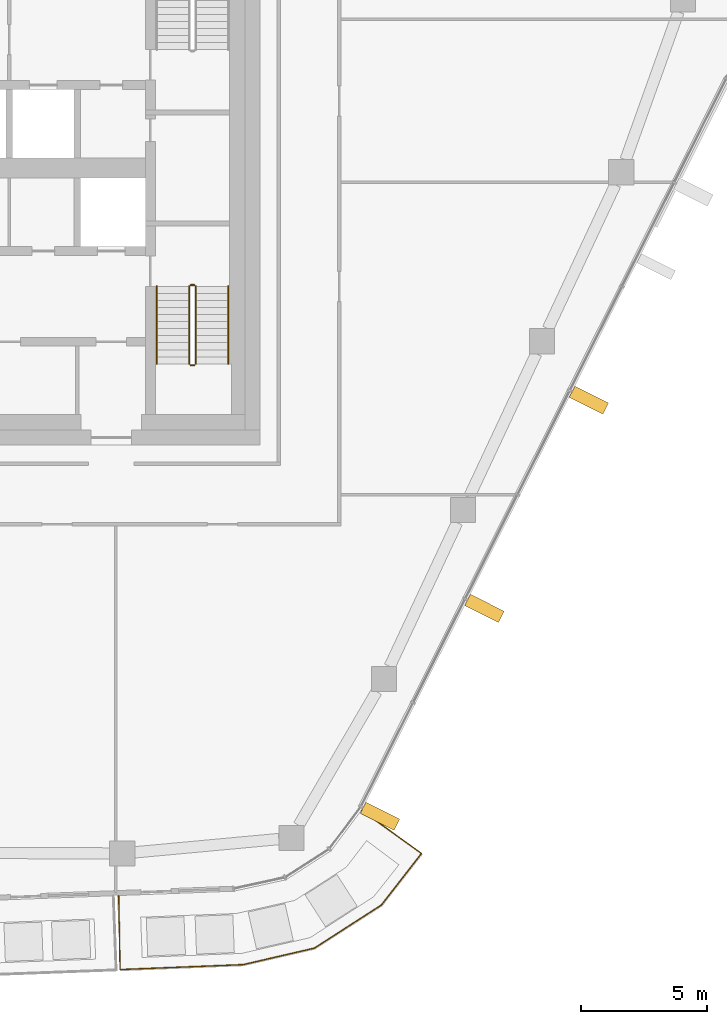
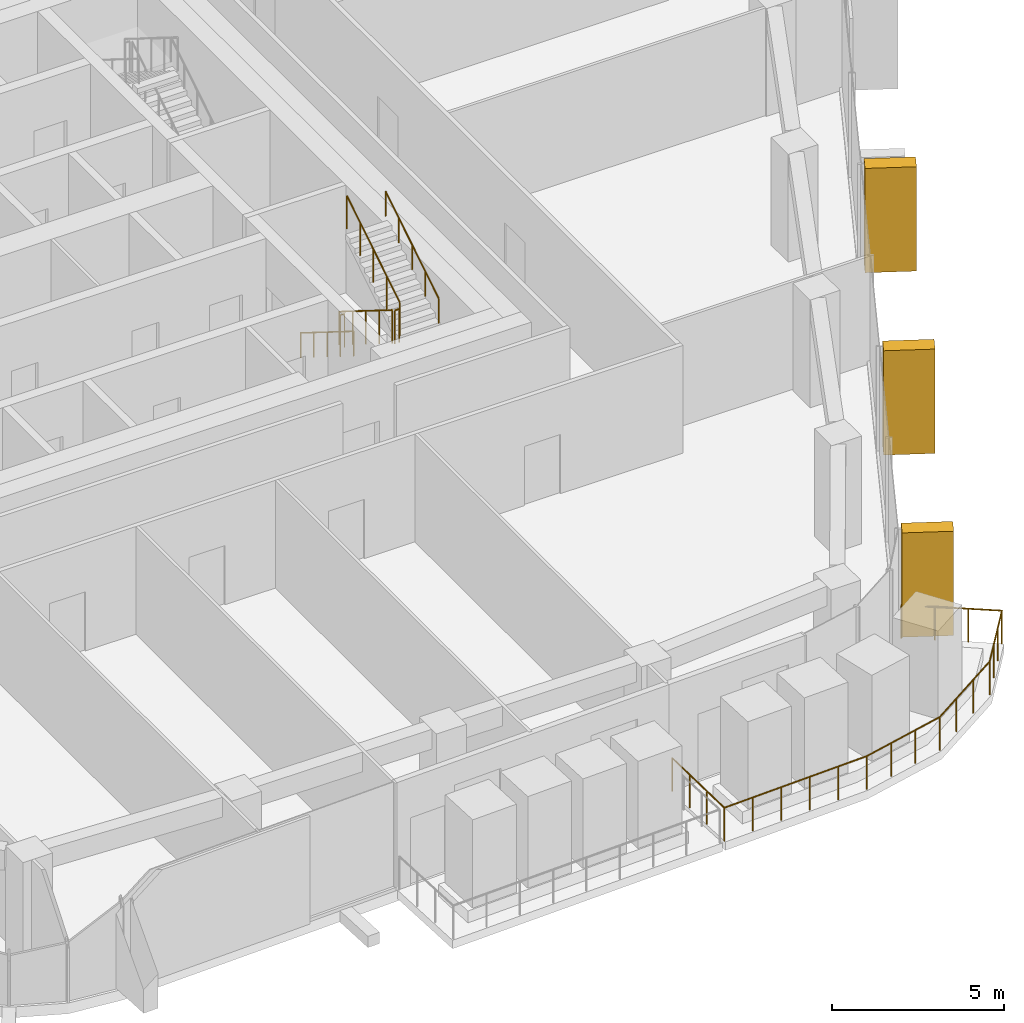
# One storey, part 20 of 24: 7 railings, 3 coverings, 1 element without a shape of its own.
"""IFC4 building model written with IfcOpenShell, lengths in metres."""

from ifc_helpers import new_model, si_unit, direction, frame, origin, origin_2d, place, context, subcontext, project, spatial, rectangle, circle, extrude, material, layer, layer_set, material_profile, profile_set, type_object, element, aggregate, save


model = new_model("IFC4")

# Units and contexts
model_context = context("Model", 3, precision=1e-05, world=origin(), true_north=direction((0.0, 1.0)))
body_context = subcontext(model_context, "Body", "Model", "MODEL_VIEW")
ifc_project = project(units=[si_unit("LENGTHUNIT", "METRE"), si_unit("AREAUNIT", "SQUARE_METRE"), si_unit("VOLUMEUNIT", "CUBIC_METRE"), si_unit("PLANEANGLEUNIT", "RADIAN"), si_unit("MASSUNIT", "GRAM", prefix="KILO")], contexts=[model_context])

# Site, building, storey
site_placement = place(None, origin())
site = spatial("IfcSite", under=ifc_project, at=site_placement, CompositionType="ELEMENT")
building_placement = place(site_placement, origin())
building = spatial("IfcBuilding", under=site, at=building_placement, Name="Dongbaek Canopy Tower", CompositionType="ELEMENT")
storey_placement = place(building_placement, frame((0.0, 0.0, 306.800048828125)))
storey = spatial("IfcBuildingStorey", under=building, at=storey_placement, Name="L65", CompositionType="ELEMENT", Elevation=306.800048828125)

# Railing
ifc_material_1 = material(Name="Stainless steel", Category="steel")
railing_type_1 = type_object("IfcRailingType", Name="Balcony balustrade 1200", PredefinedType="BALUSTRADE", material=ifc_material_1)
railing_1_placement = place(storey_placement, frame((8.393310546875, -28.89794921875, 0.0)))
element("IfcRailing", 1, at=railing_1_placement, inside=storey, type_object=railing_type_1, Name="Balcony guard L65 7", PredefinedType="BALUSTRADE", context=body_context, shape_type="SweptSolid", body=[
    extrude(circle(Radius=0.02392578125, at=origin_2d()), frame((0.0, 0.0, 1.17578125), z_axis=(0.017351866977, -0.999849445023, 0.0), x_axis=(0.999849445023, 0.017351866977, 0.0)), (0.0, 0.0, 1.0), 2.940673828125),
    extrude(circle(Radius=0.02392578125, at=origin_2d()), frame((0.051025390625, -2.940185546875, 1.17578125), z_axis=(0.999197288662, 0.040059684597, 0.0), x_axis=(-0.040059684597, 0.999197288662, 0.0)), (0.0, 0.0, 1.0), 4.893798828125),
    extrude(circle(Radius=0.02392578125, at=origin_2d()), frame((4.94091796875, -2.744140625, 1.17578125), z_axis=(0.974196885176, 0.225699864672, 0.0), x_axis=(-0.225699864672, 0.974196885176, 0.0)), (0.0, 0.0, 1.0), 2.906494140625),
    extrude(circle(Radius=0.02392578125, at=origin_2d()), frame((7.7724609375, -2.088134765625, 1.17578125), z_axis=(0.840992986953, 0.541046020128, 0.0), x_axis=(-0.541046020128, 0.840992986953, 0.0)), (0.0, 0.0, 1.0), 3.16552734375),
    extrude(circle(Radius=0.02392578125, at=origin_2d()), frame((10.4345703125, -0.37548828125, 1.17578125), z_axis=(0.6139341016, 0.789357282156, 0.0), x_axis=(-0.789357282156, 0.6139341016, 0.0)), (0.0, 0.0, 1.0), 2.595458984375),
    extrude(circle(Radius=0.02392578125, at=origin_2d()), frame((12.028076171875, 1.67333984375, 1.17578125), z_axis=(-0.812272292102, 0.583278427069, 0.0), x_axis=(-0.583278427069, -0.812272292102, 0.0)), (0.0, 0.0, 1.0), 2.9404296875),
    extrude(circle(Radius=0.02099609375, at=origin_2d()), origin(), (0.0, 0.0, 1.0), 1.15185546875),
    extrude(circle(Radius=0.02099609375, at=origin_2d()), frame((0.01708984375, -0.97998046875, 0.0)), (0.0, 0.0, 1.0), 1.15185546875),
    extrude(circle(Radius=0.02099609375, at=origin_2d()), frame((0.033935546875, -1.960205078125, 0.0)), (0.0, 0.0, 1.0), 1.15185546875),
    extrude(circle(Radius=0.02099609375, at=origin_2d()), frame((0.051025390625, -2.940185546875, 0.0)), (0.0, 0.0, 1.0), 1.15185546875),
    extrude(circle(Radius=0.02099609375, at=origin_2d()), frame((1.029052734375, -2.90087890625, 0.0)), (0.0, 0.0, 1.0), 1.15185546875),
    extrude(circle(Radius=0.02099609375, at=origin_2d()), frame((2.007080078125, -2.86181640625, 0.0)), (0.0, 0.0, 1.0), 1.15185546875),
    extrude(circle(Radius=0.02099609375, at=origin_2d()), frame((2.98486328125, -2.822509765625, 0.0)), (0.0, 0.0, 1.0), 1.15185546875),
    extrude(circle(Radius=0.02099609375, at=origin_2d()), frame((3.962890625, -2.783447265625, 0.0)), (0.0, 0.0, 1.0), 1.15185546875),
    extrude(circle(Radius=0.02099609375, at=origin_2d()), frame((4.94091796875, -2.744140625, 0.0)), (0.0, 0.0, 1.0), 1.15185546875),
    extrude(circle(Radius=0.02099609375, at=origin_2d()), frame((5.884765625, -2.525390625, 0.0)), (0.0, 0.0, 1.0), 1.15185546875),
    extrude(circle(Radius=0.02099609375, at=origin_2d()), frame((6.82861328125, -2.306884765625, 0.0)), (0.0, 0.0, 1.0), 1.15185546875),
    extrude(circle(Radius=0.02099609375, at=origin_2d()), frame((7.7724609375, -2.088134765625, 0.0)), (0.0, 0.0, 1.0), 1.15185546875),
    extrude(circle(Radius=0.02099609375, at=origin_2d()), frame((8.659912109375, -1.517333984375, 0.0)), (0.0, 0.0, 1.0), 1.15185546875),
    extrude(circle(Radius=0.02099609375, at=origin_2d()), frame((9.547119140625, -0.9462890625, 0.0)), (0.0, 0.0, 1.0), 1.15185546875),
    extrude(circle(Radius=0.02099609375, at=origin_2d()), frame((10.4345703125, -0.37548828125, 0.0)), (0.0, 0.0, 1.0), 1.15185546875),
    extrude(circle(Radius=0.02099609375, at=origin_2d()), frame((10.9658203125, 0.307373046875, 0.0)), (0.0, 0.0, 1.0), 1.15185546875),
    extrude(circle(Radius=0.02099609375, at=origin_2d()), frame((11.496826171875, 0.990478515625, 0.0)), (0.0, 0.0, 1.0), 1.15185546875),
    extrude(circle(Radius=0.02099609375, at=origin_2d()), frame((12.028076171875, 1.67333984375, 0.0)), (0.0, 0.0, 1.0), 1.15185546875),
    extrude(circle(Radius=0.02099609375, at=origin_2d()), frame((11.23193359375, 2.2451171875, 0.0)), (0.0, 0.0, 1.0), 1.15185546875),
    extrude(circle(Radius=0.02099609375, at=origin_2d()), frame((10.435791015625, 2.816650390625, 0.0)), (0.0, 0.0, 1.0), 1.15185546875),
    extrude(circle(Radius=0.02099609375, at=origin_2d()), frame((9.6396484375, 3.388427734375, 0.0)), (0.0, 0.0, 1.0), 1.15185546875),
])

# Curtain wall, coverings
ifc_material_2 = material(Name="Aluminium 6063-T6 pale anodised", Category="aluminium")
ifc_layer = layer(ifc_material_2, 0.199951171875)
ifc_layer_set = layer_set([ifc_layer], Name="CW-1 unitised tower curtain wall")
curtain_wall_type = type_object("IfcCurtainWallType", Name="CW-1 unitised tower curtain wall", PredefinedType="NOTDEFINED", material=ifc_layer_set)
curtain_wall_placement = place(storey_placement, origin())
curtain_wall = element("IfcCurtainWall", 2, at=curtain_wall_placement, inside=storey, type_object=curtain_wall_type, Name="CW-1 curtain wall F5.1", PredefinedType="NOTDEFINED")
ifc_material_3 = material(Name="Aluminium 6063-T6 pale metal fin", Category="aluminium")
ifc_material_profile = material_profile(ifc_material_3, rectangle(XDim=1.5, YDim=0.5, at=origin_2d()), Name="Fin FN1 500 x 1500 pale metal")
ifc_profile_set = profile_set([ifc_material_profile], Name="Aluminium 6063-T6 pale metal fin")
covering_type = type_object("IfcCoveringType", Name="Fin FN1 500 x 1500 pale metal", PredefinedType="CLADDING", material=ifc_profile_set)
covering_1_placement = place(storey_placement, frame((18.773193359375, -25.75, 0.119873046875), z_axis=(0.0, 0.0, 1.0), x_axis=(0.893733414129, -0.448598466859, 0.0)))
covering_1 = element("IfcCovering", 3, at=covering_1_placement, type_object=covering_type, Name="Fin F5.1.1", PredefinedType="CLADDING", context=body_context, shape_type="SweptSolid", body=[
    extrude(rectangle(XDim=1.5, YDim=0.5, at=origin_2d()), origin(), (0.0, 0.0, 1.0), 3.7001953125),
])
covering_2_placement = place(storey_placement, frame((22.9189453125, -17.490234375, 0.119873046875), z_axis=(0.0, 0.0, 1.0), x_axis=(0.893733414129, -0.448598466859, 0.0)))
covering_2 = element("IfcCovering", 4, at=covering_2_placement, type_object=covering_type, Name="Fin F5.1.3", PredefinedType="CLADDING", context=body_context, shape_type="SweptSolid", body=[
    extrude(rectangle(XDim=1.5, YDim=0.5, at=origin_2d()), origin(), (0.0, 0.0, 1.0), 3.7001953125),
])
covering_3_placement = place(storey_placement, frame((27.06884765625, -9.222412109375, 0.119873046875), z_axis=(0.0, 0.0, 1.0), x_axis=(0.893733414129, -0.448598466859, 0.0)))
covering_3 = element("IfcCovering", 5, at=covering_3_placement, type_object=covering_type, Name="Fin F5.1.5", PredefinedType="CLADDING", context=body_context, shape_type="SweptSolid", body=[
    extrude(rectangle(XDim=1.5, YDim=0.5, at=origin_2d()), origin(), (0.0, 0.0, 1.0), 3.7001953125),
])
aggregate(curtain_wall, [covering_1, covering_2, covering_3])

# Railings
ifc_material_4 = material(Name="Stainless steel tube and balusters", Category="steel")
railing_type_2 = type_object("IfcRailingType", Name="Stair guard 1200", PredefinedType="GUARDRAIL", material=ifc_material_4)
railing_2_placement = place(storey_placement, frame((11.199951171875, -4.699951171875, 0.175048828125)))
element("IfcRailing", 6, at=railing_2_placement, inside=storey, type_object=railing_type_2, Name="L65 ST-B stair guard 1", PredefinedType="GUARDRAIL", context=body_context, shape_type="SweptSolid", body=[
    extrude(circle(Radius=0.02392578125, at=origin_2d()), frame((0.0, 0.0, 1.17578125), z_axis=(0.0, -0.848028513186, 0.529950602248), x_axis=(1.0, 0.0, 0.0)), (0.0, 0.0, 1.0), 3.632080078125),
    extrude(circle(Radius=0.02099609375, at=origin_2d()), origin(), (0.0, 0.0, 1.0), 1.15185546875),
    extrude(circle(Radius=0.02099609375, at=origin_2d()), frame((0.0, -0.77001953125, 0.481201171875)), (0.0, 0.0, 1.0), 1.15185546875),
    extrude(circle(Radius=0.02099609375, at=origin_2d()), frame((0.0, -1.5400390625, 0.96240234375)), (0.0, 0.0, 1.0), 1.15185546875),
    extrude(circle(Radius=0.02099609375, at=origin_2d()), frame((0.0, -2.31005859375, 1.443603515625)), (0.0, 0.0, 1.0), 1.15185546875),
    extrude(circle(Radius=0.02099609375, at=origin_2d()), frame((0.0, -3.080078125, 1.9248046875)), (0.0, 0.0, 1.0), 1.15185546875),
])
railing_3_placement = place(storey_placement, frame((11.25, -7.830078125, 2.099853515625)))
element("IfcRailing", 7, at=railing_3_placement, inside=storey, type_object=railing_type_2, Name="L65 ST-B stair guard 2", PredefinedType="GUARDRAIL", context=body_context, shape_type="SweptSolid", body=[
    extrude(circle(Radius=0.02392578125, at=origin_2d()), frame((0.0, 0.0, 1.17578125), z_axis=(1.0, 0.0, 0.0), x_axis=(0.0, 1.0, 0.0)), (0.0, 0.0, 1.0), 0.14990234375),
    extrude(circle(Radius=0.02099609375, at=origin_2d()), origin(), (0.0, 0.0, 1.0), 1.15185546875),
    extrude(circle(Radius=0.02099609375, at=origin_2d()), frame((0.14990234375, 0.0, 0.0)), (0.0, 0.0, 1.0), 1.15185546875),
])
railing_4_placement = place(storey_placement, frame((11.449951171875, -7.780029296875, 2.27490234375)))
element("IfcRailing", 8, at=railing_4_placement, inside=storey, type_object=railing_type_2, Name="L65 ST-B stair guard 3", PredefinedType="GUARDRAIL", context=body_context, shape_type="SweptSolid", body=[
    extrude(circle(Radius=0.02392578125, at=origin_2d()), frame((0.0, 0.0, 1.17578125), z_axis=(0.0, 0.847998304005, 0.529998940003), x_axis=(-1.0, 0.0, 0.0)), (0.0, 0.0, 1.0), 3.632080078125),
    extrude(circle(Radius=0.02099609375, at=origin_2d()), origin(), (0.0, 0.0, 1.0), 1.15185546875),
    extrude(circle(Radius=0.02099609375, at=origin_2d()), frame((0.0, 0.77001953125, 0.481201171875)), (0.0, 0.0, 1.0), 1.15185546875),
    extrude(circle(Radius=0.02099609375, at=origin_2d()), frame((0.0, 1.5400390625, 0.96240234375)), (0.0, 0.0, 1.0), 1.15185546875),
    extrude(circle(Radius=0.02099609375, at=origin_2d()), frame((0.0, 2.31005859375, 1.44384765625)), (0.0, 0.0, 1.0), 1.15185546875),
    extrude(circle(Radius=0.02099609375, at=origin_2d()), frame((0.0, 3.080078125, 1.925048828125)), (0.0, 0.0, 1.0), 1.15185546875),
])
railing_5_placement = place(storey_placement, frame((11.25, -4.64990234375, 0.0)))
element("IfcRailing", 9, at=railing_5_placement, inside=storey, type_object=railing_type_2, Name="L65 ST-B stair guard 4", PredefinedType="GUARDRAIL", context=body_context, shape_type="SweptSolid", body=[
    extrude(circle(Radius=0.02392578125, at=origin_2d()), frame((0.0, 0.0, 1.17578125), z_axis=(1.0, 0.0, 0.0), x_axis=(0.0, 1.0, 0.0)), (0.0, 0.0, 1.0), 0.14990234375),
    extrude(circle(Radius=0.02099609375, at=origin_2d()), origin(), (0.0, 0.0, 1.0), 1.15185546875),
    extrude(circle(Radius=0.02099609375, at=origin_2d()), frame((0.14990234375, 0.0, 0.0)), (0.0, 0.0, 1.0), 1.15185546875),
])
ifc_material_5 = material(Name="Stainless steel tube", Category="steel")
railing_type_3 = type_object("IfcRailingType", Name="Stair handrail 900", PredefinedType="HANDRAIL", material=ifc_material_5)
railing_6_placement = place(storey_placement, frame((9.89990234375, -4.699951171875, 0.175048828125)))
element("IfcRailing", 10, at=railing_6_placement, inside=storey, type_object=railing_type_3, Name="L65 ST-B stair handrail 1", PredefinedType="HANDRAIL", context=body_context, shape_type="SweptSolid", body=[
    extrude(circle(Radius=0.02392578125, at=origin_2d()), frame((0.0, 0.0, 0.8759765625), z_axis=(0.0, -0.848028513186, 0.529950602248), x_axis=(1.0, 0.0, 0.0)), (0.0, 0.0, 1.0), 3.632080078125),
    extrude(circle(Radius=0.02099609375, at=origin_2d()), origin(), (0.0, 0.0, 1.0), 0.851806640625),
    extrude(circle(Radius=0.02099609375, at=origin_2d()), frame((0.0, -0.77001953125, 0.481201171875)), (0.0, 0.0, 1.0), 0.851806640625),
    extrude(circle(Radius=0.02099609375, at=origin_2d()), frame((0.0, -1.5400390625, 0.96240234375)), (0.0, 0.0, 1.0), 0.851806640625),
    extrude(circle(Radius=0.02099609375, at=origin_2d()), frame((0.0, -2.31005859375, 1.443603515625)), (0.0, 0.0, 1.0), 0.851806640625),
    extrude(circle(Radius=0.02099609375, at=origin_2d()), frame((0.0, -3.080078125, 1.9248046875)), (0.0, 0.0, 1.0), 0.851806640625),
])
railing_7_placement = place(storey_placement, frame((12.75, -7.780029296875, 2.27490234375)))
element("IfcRailing", 11, at=railing_7_placement, inside=storey, type_object=railing_type_3, Name="L65 ST-B stair handrail 2", PredefinedType="HANDRAIL", context=body_context, shape_type="SweptSolid", body=[
    extrude(circle(Radius=0.02392578125, at=origin_2d()), frame((0.0, 0.0, 0.8759765625), z_axis=(0.0, 0.847998304005, 0.529998940003), x_axis=(-1.0, 0.0, 0.0)), (0.0, 0.0, 1.0), 3.632080078125),
    extrude(circle(Radius=0.02099609375, at=origin_2d()), origin(), (0.0, 0.0, 1.0), 0.851806640625),
    extrude(circle(Radius=0.02099609375, at=origin_2d()), frame((0.0, 0.77001953125, 0.481201171875)), (0.0, 0.0, 1.0), 0.851806640625),
    extrude(circle(Radius=0.02099609375, at=origin_2d()), frame((0.0, 1.5400390625, 0.96240234375)), (0.0, 0.0, 1.0), 0.851806640625),
    extrude(circle(Radius=0.02099609375, at=origin_2d()), frame((0.0, 2.31005859375, 1.44384765625)), (0.0, 0.0, 1.0), 0.851806640625),
    extrude(circle(Radius=0.02099609375, at=origin_2d()), frame((0.0, 3.080078125, 1.925048828125)), (0.0, 0.0, 1.0), 0.851806640625),
])

save(model, "model.ifc")
